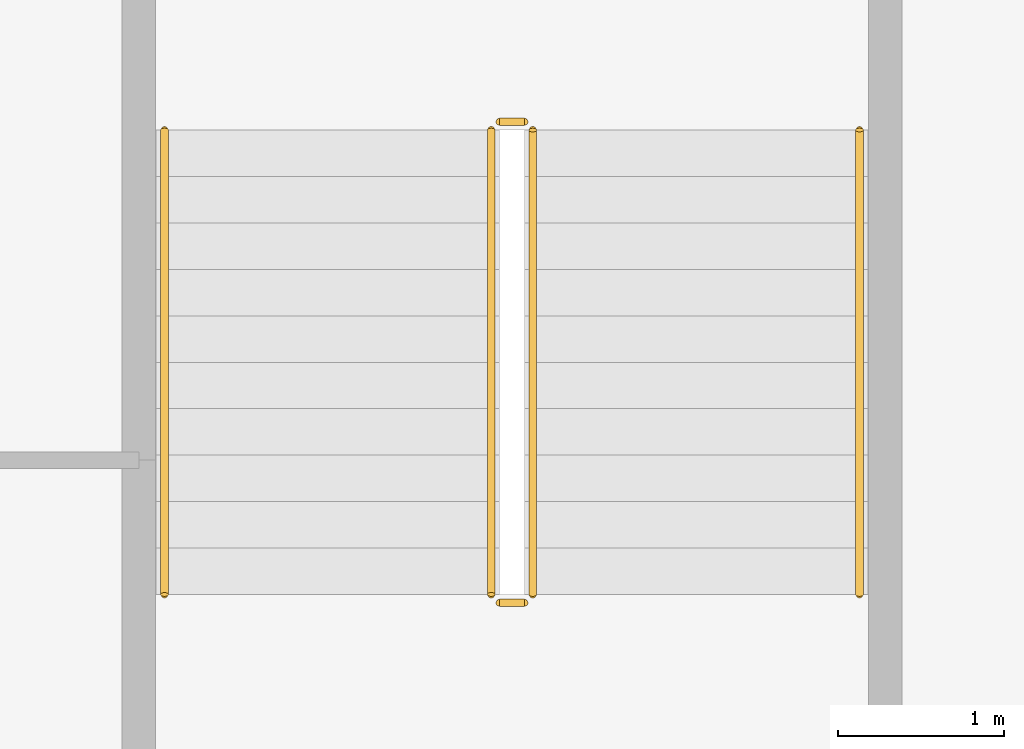
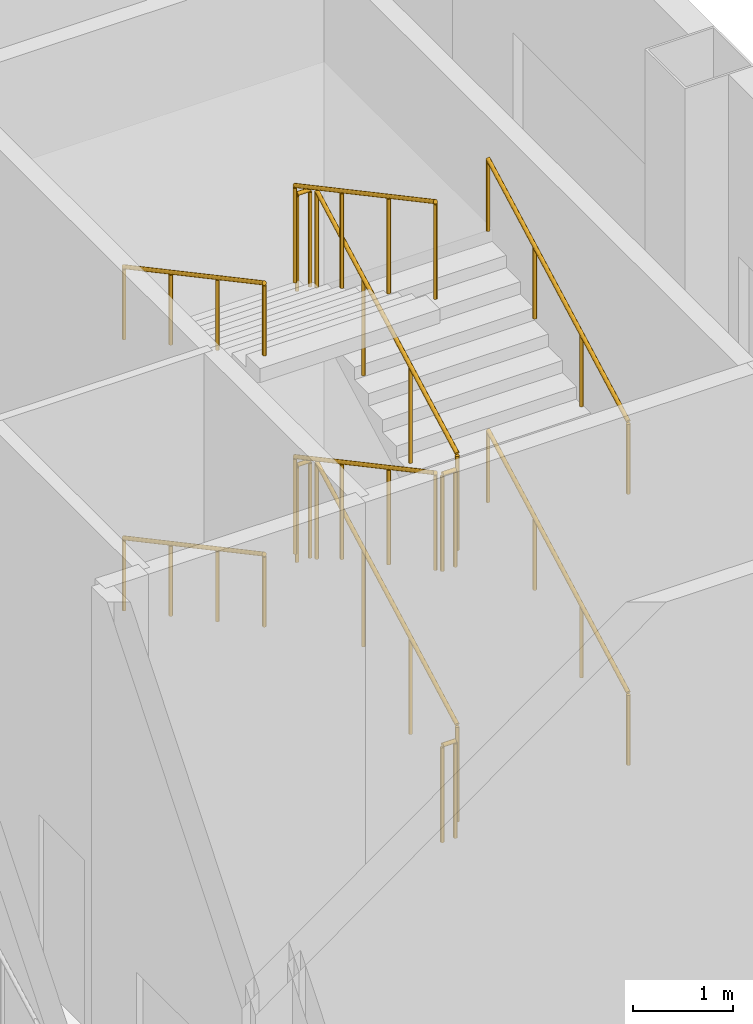
# One storey, part 26 of 26: 12 railings.
"""IFC4 building model written with IfcOpenShell, lengths in metres."""

from ifc_helpers import new_model, si_unit, direction, frame, origin, origin_2d, place, context, subcontext, project, spatial, circle, extrude, material, type_object, element, save


model = new_model("IFC4")

# Units and contexts
model_context = context("Model", 3, precision=1e-05, world=origin(), true_north=direction((0.0, 1.0)))
body_context = subcontext(model_context, "Body", "Model", "MODEL_VIEW")
ifc_project = project(units=[si_unit("LENGTHUNIT", "METRE"), si_unit("AREAUNIT", "SQUARE_METRE"), si_unit("VOLUMEUNIT", "CUBIC_METRE"), si_unit("PLANEANGLEUNIT", "RADIAN"), si_unit("MASSUNIT", "GRAM", prefix="KILO")], contexts=[model_context])

# Site, building, storey
site_placement = place(None, origin())
site = spatial("IfcSite", under=ifc_project, at=site_placement, CompositionType="ELEMENT")
building_placement = place(site_placement, origin())
building = spatial("IfcBuilding", under=site, at=building_placement, Name="Caravel Reach Hotel and Residences", CompositionType="ELEMENT")
storey_placement = place(building_placement, frame((0.0, 0.0, 17.39990234375)))
storey = spatial("IfcBuildingStorey", under=building, at=storey_placement, Name="L03", CompositionType="ELEMENT", Elevation=17.39990234375)

# Railings
ifc_material_1 = material(Name="Steel balustrade with glass infill", Category="steel")
railing_type_1 = type_object("IfcRailingType", Name="Guard 1200", PredefinedType="GUARDRAIL", material=ifc_material_1)
railing_1_placement = place(storey_placement, frame((63.375, 42.68994140625, 0.150146484375)))
element("IfcRailing", 1, at=railing_1_placement, inside=storey, type_object=railing_type_1, Name="L03 ST-P6 stair guard 1", PredefinedType="GUARDRAIL", context=body_context, shape_type="SweptSolid", body=[
    extrude(circle(Radius=0.02392578125, at=origin_2d()), frame((0.0, 0.0, 1.17578125), z_axis=(0.0, 0.881483397762, 0.472215014025), x_axis=(-1.0, 0.0, 0.0)), (0.0, 0.0, 1.0), 3.176513671875),
    extrude(circle(Radius=0.02099609375, at=origin_2d()), origin(), (0.0, 0.0, 1.0), 1.15185546875),
    extrude(circle(Radius=0.02099609375, at=origin_2d()), frame((0.0, 0.933349609375, 0.5)), (0.0, 0.0, 1.0), 1.15185546875),
    extrude(circle(Radius=0.02099609375, at=origin_2d()), frame((0.0, 1.86669921875, 1.0)), (0.0, 0.0, 1.0), 1.15185546875),
    extrude(circle(Radius=0.02099609375, at=origin_2d()), frame((0.0, 2.800048828125, 1.5)), (0.0, 0.0, 1.0), 1.15185546875),
])
railing_2_placement = place(storey_placement, frame((63.324951171875, 45.5400390625, 1.650146484375)))
element("IfcRailing", 2, at=railing_2_placement, inside=storey, type_object=railing_type_1, Name="L03 ST-P6 stair guard 2", PredefinedType="GUARDRAIL", context=body_context, shape_type="SweptSolid", body=[
    extrude(circle(Radius=0.02392578125, at=origin_2d()), frame((0.0, 0.0, 1.17578125), z_axis=(-1.0, 0.0, 0.0), x_axis=(0.0, -1.0, 0.0)), (0.0, 0.0, 1.0), 0.14990234375),
    extrude(circle(Radius=0.02099609375, at=origin_2d()), origin(), (0.0, 0.0, 1.0), 1.15185546875),
    extrude(circle(Radius=0.02099609375, at=origin_2d()), frame((-0.14990234375, 0.0, 0.0)), (0.0, 0.0, 1.0), 1.15185546875),
])
railing_3_placement = place(storey_placement, frame((63.125, 45.489990234375, 1.800048828125)))
element("IfcRailing", 3, at=railing_3_placement, inside=storey, type_object=railing_type_1, Name="L03 ST-P6 stair guard 3", PredefinedType="GUARDRAIL", context=body_context, shape_type="SweptSolid", body=[
    extrude(circle(Radius=0.02392578125, at=origin_2d()), frame((0.0, 0.0, 1.17578125), z_axis=(0.0, -0.881483397762, 0.472215014025), x_axis=(1.0, 0.0, 0.0)), (0.0, 0.0, 1.0), 3.176513671875),
    extrude(circle(Radius=0.02099609375, at=origin_2d()), origin(), (0.0, 0.0, 1.0), 1.15185546875),
    extrude(circle(Radius=0.02099609375, at=origin_2d()), frame((0.0, -0.933349609375, 0.5)), (0.0, 0.0, 1.0), 1.15185546875),
    extrude(circle(Radius=0.02099609375, at=origin_2d()), frame((0.0, -1.86669921875, 1.0)), (0.0, 0.0, 1.0), 1.15185546875),
    extrude(circle(Radius=0.02099609375, at=origin_2d()), frame((0.0, -2.800048828125, 1.5)), (0.0, 0.0, 1.0), 1.15185546875),
])
railing_4_placement = place(storey_placement, frame((63.324951171875, 42.639892578125, 3.300048828125)))
element("IfcRailing", 4, at=railing_4_placement, inside=storey, type_object=railing_type_1, Name="L03 ST-P6 stair guard 4", PredefinedType="GUARDRAIL", context=body_context, shape_type="SweptSolid", body=[
    extrude(circle(Radius=0.02392578125, at=origin_2d()), frame((0.0, 0.0, 1.17578125), z_axis=(-1.0, 0.0, 0.0), x_axis=(0.0, -1.0, 0.0)), (0.0, 0.0, 1.0), 0.14990234375),
    extrude(circle(Radius=0.02099609375, at=origin_2d()), origin(), (0.0, 0.0, 1.0), 1.15185546875),
    extrude(circle(Radius=0.02099609375, at=origin_2d()), frame((-0.14990234375, 0.0, 0.0)), (0.0, 0.0, 1.0), 1.15185546875),
])
railing_5_placement = place(storey_placement, frame((63.375, 42.68994140625, 3.4501953125)))
element("IfcRailing", 5, at=railing_5_placement, inside=storey, type_object=railing_type_1, Name="L03 ST-P6 stair guard 5", PredefinedType="GUARDRAIL", context=body_context, shape_type="SweptSolid", body=[
    extrude(circle(Radius=0.02392578125, at=origin_2d()), frame((0.0, 0.0, 1.17578125), z_axis=(0.0, 0.881483397762, 0.472215014025), x_axis=(-1.0, 0.0, 0.0)), (0.0, 0.0, 1.0), 3.176513671875),
    extrude(circle(Radius=0.02099609375, at=origin_2d()), origin(), (0.0, 0.0, 1.0), 1.15185546875),
    extrude(circle(Radius=0.02099609375, at=origin_2d()), frame((0.0, 0.933349609375, 0.5)), (0.0, 0.0, 1.0), 1.15185546875),
    extrude(circle(Radius=0.02099609375, at=origin_2d()), frame((0.0, 1.86669921875, 1.0)), (0.0, 0.0, 1.0), 1.15185546875),
    extrude(circle(Radius=0.02099609375, at=origin_2d()), frame((0.0, 2.800048828125, 1.5)), (0.0, 0.0, 1.0), 1.15185546875),
])
railing_6_placement = place(storey_placement, frame((63.324951171875, 45.5400390625, 4.9501953125)))
element("IfcRailing", 6, at=railing_6_placement, inside=storey, type_object=railing_type_1, Name="L03 ST-P6 stair guard 6", PredefinedType="GUARDRAIL", context=body_context, shape_type="SweptSolid", body=[
    extrude(circle(Radius=0.02392578125, at=origin_2d()), frame((0.0, 0.0, 1.17578125), z_axis=(-1.0, 0.0, 0.0), x_axis=(0.0, -1.0, 0.0)), (0.0, 0.0, 1.0), 0.14990234375),
    extrude(circle(Radius=0.02099609375, at=origin_2d()), origin(), (0.0, 0.0, 1.0), 1.15185546875),
    extrude(circle(Radius=0.02099609375, at=origin_2d()), frame((-0.14990234375, 0.0, 0.0)), (0.0, 0.0, 1.0), 1.15185546875),
])
railing_7_placement = place(storey_placement, frame((63.125, 45.489990234375, 5.10009765625)))
element("IfcRailing", 7, at=railing_7_placement, inside=storey, type_object=railing_type_1, Name="L03 ST-P6 stair guard 7", PredefinedType="GUARDRAIL", context=body_context, shape_type="SweptSolid", body=[
    extrude(circle(Radius=0.02392578125, at=origin_2d()), frame((0.0, 0.0, 1.17578125), z_axis=(0.0, -0.881483397762, 0.472215014025), x_axis=(1.0, 0.0, 0.0)), (0.0, 0.0, 1.0), 3.176513671875),
    extrude(circle(Radius=0.02099609375, at=origin_2d()), origin(), (0.0, 0.0, 1.0), 1.15185546875),
    extrude(circle(Radius=0.02099609375, at=origin_2d()), frame((0.0, -0.933349609375, 0.5)), (0.0, 0.0, 1.0), 1.15185546875),
    extrude(circle(Radius=0.02099609375, at=origin_2d()), frame((0.0, -1.86669921875, 1.0)), (0.0, 0.0, 1.0), 1.15185546875),
    extrude(circle(Radius=0.02099609375, at=origin_2d()), frame((0.0, -2.800048828125, 1.5)), (0.0, 0.0, 1.0), 1.15185546875),
])
railing_8_placement = place(storey_placement, frame((63.324951171875, 42.639892578125, 0.0)))
element("IfcRailing", 8, at=railing_8_placement, inside=storey, type_object=railing_type_1, Name="L03 ST-P6 stair guard 8", PredefinedType="GUARDRAIL", context=body_context, shape_type="SweptSolid", body=[
    extrude(circle(Radius=0.02392578125, at=origin_2d()), frame((0.0, 0.0, 1.17578125), z_axis=(-1.0, 0.0, 0.0), x_axis=(0.0, -1.0, 0.0)), (0.0, 0.0, 1.0), 0.14990234375),
    extrude(circle(Radius=0.02099609375, at=origin_2d()), origin(), (0.0, 0.0, 1.0), 1.15185546875),
    extrude(circle(Radius=0.02099609375, at=origin_2d()), frame((-0.14990234375, 0.0, 0.0)), (0.0, 0.0, 1.0), 1.15185546875),
])
ifc_material_2 = material(Name="Stainless steel handrail", Category="steel")
railing_type_2 = type_object("IfcRailingType", Name="Handrail 900", PredefinedType="HANDRAIL", material=ifc_material_2)
railing_9_placement = place(storey_placement, frame((65.344970703125, 42.68994140625, 0.150146484375)))
element("IfcRailing", 9, at=railing_9_placement, inside=storey, type_object=railing_type_2, Name="L03 ST-P6 stair handrail 1", PredefinedType="HANDRAIL", context=body_context, shape_type="SweptSolid", body=[
    extrude(circle(Radius=0.02392578125, at=origin_2d()), frame((0.0, 0.0, 0.8759765625), z_axis=(0.0, 0.881483397762, 0.472215014025), x_axis=(-1.0, 0.0, 0.0)), (0.0, 0.0, 1.0), 3.176513671875),
    extrude(circle(Radius=0.02099609375, at=origin_2d()), origin(), (0.0, 0.0, 1.0), 0.851806640625),
    extrude(circle(Radius=0.02099609375, at=origin_2d()), frame((0.0, 0.933349609375, 0.5)), (0.0, 0.0, 1.0), 0.851806640625),
    extrude(circle(Radius=0.02099609375, at=origin_2d()), frame((0.0, 1.86669921875, 1.0)), (0.0, 0.0, 1.0), 0.851806640625),
    extrude(circle(Radius=0.02099609375, at=origin_2d()), frame((0.0, 2.800048828125, 1.5)), (0.0, 0.0, 1.0), 0.851806640625),
])
railing_10_placement = place(storey_placement, frame((61.155029296875, 45.489990234375, 1.800048828125)))
element("IfcRailing", 10, at=railing_10_placement, inside=storey, type_object=railing_type_2, Name="L03 ST-P6 stair handrail 2", PredefinedType="HANDRAIL", context=body_context, shape_type="SweptSolid", body=[
    extrude(circle(Radius=0.02392578125, at=origin_2d()), frame((0.0, 0.0, 0.8759765625), z_axis=(0.0, -0.881483397762, 0.472215014025), x_axis=(1.0, 0.0, 0.0)), (0.0, 0.0, 1.0), 3.176513671875),
    extrude(circle(Radius=0.02099609375, at=origin_2d()), origin(), (0.0, 0.0, 1.0), 0.851806640625),
    extrude(circle(Radius=0.02099609375, at=origin_2d()), frame((0.0, -0.933349609375, 0.5)), (0.0, 0.0, 1.0), 0.851806640625),
    extrude(circle(Radius=0.02099609375, at=origin_2d()), frame((0.0, -1.86669921875, 1.0)), (0.0, 0.0, 1.0), 0.851806640625),
    extrude(circle(Radius=0.02099609375, at=origin_2d()), frame((0.0, -2.800048828125, 1.5)), (0.0, 0.0, 1.0), 0.851806640625),
])
railing_11_placement = place(storey_placement, frame((65.344970703125, 42.68994140625, 3.4501953125)))
element("IfcRailing", 11, at=railing_11_placement, inside=storey, type_object=railing_type_2, Name="L03 ST-P6 stair handrail 3", PredefinedType="HANDRAIL", context=body_context, shape_type="SweptSolid", body=[
    extrude(circle(Radius=0.02392578125, at=origin_2d()), frame((0.0, 0.0, 0.8759765625), z_axis=(0.0, 0.881483397762, 0.472215014025), x_axis=(-1.0, 0.0, 0.0)), (0.0, 0.0, 1.0), 3.176513671875),
    extrude(circle(Radius=0.02099609375, at=origin_2d()), origin(), (0.0, 0.0, 1.0), 0.851806640625),
    extrude(circle(Radius=0.02099609375, at=origin_2d()), frame((0.0, 0.933349609375, 0.5)), (0.0, 0.0, 1.0), 0.851806640625),
    extrude(circle(Radius=0.02099609375, at=origin_2d()), frame((0.0, 1.86669921875, 1.0)), (0.0, 0.0, 1.0), 0.851806640625),
    extrude(circle(Radius=0.02099609375, at=origin_2d()), frame((0.0, 2.800048828125, 1.5)), (0.0, 0.0, 1.0), 0.851806640625),
])
railing_12_placement = place(storey_placement, frame((61.155029296875, 45.489990234375, 5.10009765625)))
element("IfcRailing", 12, at=railing_12_placement, inside=storey, type_object=railing_type_2, Name="L03 ST-P6 stair handrail 4", PredefinedType="HANDRAIL", context=body_context, shape_type="SweptSolid", body=[
    extrude(circle(Radius=0.02392578125, at=origin_2d()), frame((0.0, 0.0, 0.8759765625), z_axis=(0.0, -0.881483397762, 0.472215014025), x_axis=(1.0, 0.0, 0.0)), (0.0, 0.0, 1.0), 3.176513671875),
    extrude(circle(Radius=0.02099609375, at=origin_2d()), origin(), (0.0, 0.0, 1.0), 0.851806640625),
    extrude(circle(Radius=0.02099609375, at=origin_2d()), frame((0.0, -0.933349609375, 0.5)), (0.0, 0.0, 1.0), 0.851806640625),
    extrude(circle(Radius=0.02099609375, at=origin_2d()), frame((0.0, -1.86669921875, 1.0)), (0.0, 0.0, 1.0), 0.851806640625),
    extrude(circle(Radius=0.02099609375, at=origin_2d()), frame((0.0, -2.800048828125, 1.5)), (0.0, 0.0, 1.0), 0.851806640625),
])

save(model, "model.ifc")
